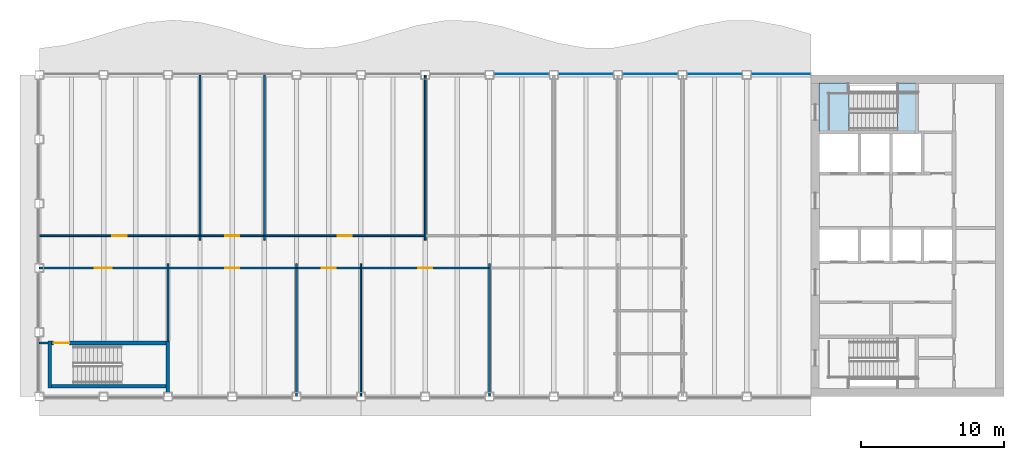
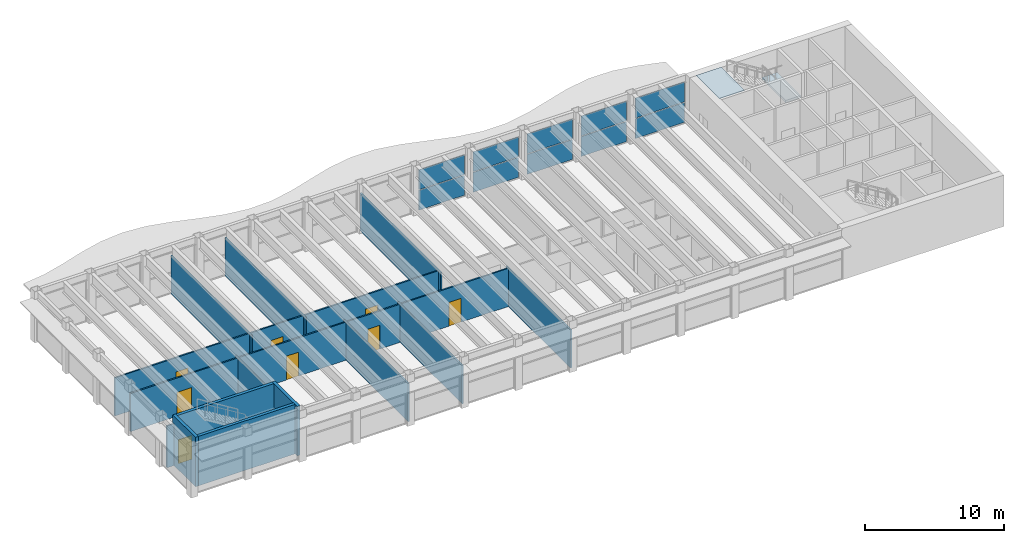
# One storey, part 8 of 14: 19 walls, 10 plates, 8 doors, 2 slabs, 8 openings, 6 elements without a shape of their own.
"""IFC4 building model written with IfcOpenShell, lengths in metres."""

from ifc_helpers import new_model, si_unit, direction, frame, frame_2d, origin, origin_2d, place, context, subcontext, project, spatial, polyline, rectangle, outline, extrude, material, layer, layer_set, type_object, element, fill, aggregate, save


model = new_model("IFC4")

# Units and contexts
model_context = context("Model", 3, precision=1e-05, world=origin(), true_north=direction((0.0, 1.0)))
body_context = subcontext(model_context, "Body", "Model", "MODEL_VIEW")
ifc_project = project(units=[si_unit("LENGTHUNIT", "METRE"), si_unit("AREAUNIT", "SQUARE_METRE"), si_unit("VOLUMEUNIT", "CUBIC_METRE"), si_unit("PLANEANGLEUNIT", "RADIAN"), si_unit("MASSUNIT", "GRAM", prefix="KILO")], contexts=[model_context])

# Site, building, storey
site_placement = place(None, origin())
site = spatial("IfcSite", under=ifc_project, at=site_placement, CompositionType="ELEMENT")
building_placement = place(site_placement, origin())
building = spatial("IfcBuilding", under=site, at=building_placement, Name="Sennacour Bend Tower", CompositionType="ELEMENT")
storey_placement = place(building_placement, frame((0.0, 0.0, 305.0)))
storey = spatial("IfcBuildingStorey", under=building, at=storey_placement, Name="L70", CompositionType="ELEMENT", Elevation=305.0)

# Curtain wall, plates
ifc_material_1 = material(Name="Bronze anodised aluminium curtain wall with clear glass", Category="aluminium")
curtain_wall_type = type_object("IfcCurtainWallType", Name="CURTAIN WALL EXEC", PredefinedType="NOTDEFINED", material=ifc_material_1)
curtain_wall_1_placement = place(storey_placement, origin())
curtain_wall_1 = element("IfcCurtainWall", 1, at=curtain_wall_1_placement, inside=storey, type_object=curtain_wall_type, Name="Executive floor glass wall L70", PredefinedType="NOTDEFINED")
ifc_material_2 = material(Name="Clear low-emissivity glass", Category="glass")
ifc_layer_1 = layer(ifc_material_2, 0.031982421875, Name="Clear low-emissivity glass", Category="glass")
ifc_layer_set_1 = layer_set([ifc_layer_1], Name="Clear low-emissivity glass")
plate_type = type_object("IfcPlateType", Name="PNL-GLASS-IGU32", PredefinedType="CURTAIN_PANEL", material=ifc_layer_set_1)
plate_1_placement = place(storey_placement, frame((51.89990234375, 22.574951171875, 0.06005859375), z_axis=(0.0, 0.0, 1.0), x_axis=(-1.0, 0.0, 0.0)))
plate_1 = element("IfcPlate", 2, at=plate_1_placement, type_object=plate_type, Name="GW3 curtain wall panel 1.1", PredefinedType="CURTAIN_PANEL", context=body_context, shape_type="SweptSolid", body=[
    extrude(rectangle(XDim=4.080078125, YDim=0.031982421875, at=origin_2d()), origin(), (0.0, 0.0, 1.0), 1.74609375),
])
plate_2_placement = place(storey_placement, frame((51.89990234375, 22.574951171875, 1.865966796875), z_axis=(0.0, 0.0, 1.0), x_axis=(-1.0, 0.0, 0.0)))
plate_2 = element("IfcPlate", 3, at=plate_2_placement, type_object=plate_type, Name="GW3 curtain wall panel 1.2", PredefinedType="CURTAIN_PANEL", context=body_context, shape_type="SweptSolid", body=[
    extrude(rectangle(XDim=4.080078125, YDim=0.031982421875, at=origin_2d()), origin(), (0.0, 0.0, 1.0), 1.74609375),
])
aggregate(curtain_wall_1, [plate_1, plate_2])

curtain_wall_2_placement = place(storey_placement, origin())
curtain_wall_2 = element("IfcCurtainWall", 4, at=curtain_wall_2_placement, inside=storey, type_object=curtain_wall_type, Name="Executive floor glass wall L70", PredefinedType="NOTDEFINED")
plate_3_placement = place(storey_placement, frame((47.25, 22.574951171875, 0.06005859375), z_axis=(0.0, 0.0, 1.0), x_axis=(-1.0, 0.0, 0.0)))
plate_3 = element("IfcPlate", 5, at=plate_3_placement, type_object=plate_type, Name="GW3 curtain wall panel 1.1", PredefinedType="CURTAIN_PANEL", context=body_context, shape_type="SweptSolid", body=[
    extrude(rectangle(XDim=3.780029296875, YDim=0.031982421875, at=origin_2d()), origin(), (0.0, 0.0, 1.0), 1.74609375),
])
plate_4_placement = place(storey_placement, frame((47.25, 22.574951171875, 1.865966796875), z_axis=(0.0, 0.0, 1.0), x_axis=(-1.0, 0.0, 0.0)))
plate_4 = element("IfcPlate", 6, at=plate_4_placement, type_object=plate_type, Name="GW3 curtain wall panel 1.2", PredefinedType="CURTAIN_PANEL", context=body_context, shape_type="SweptSolid", body=[
    extrude(rectangle(XDim=3.780029296875, YDim=0.031982421875, at=origin_2d()), origin(), (0.0, 0.0, 1.0), 1.74609375),
])
aggregate(curtain_wall_2, [plate_3, plate_4])

curtain_wall_3_placement = place(storey_placement, origin())
curtain_wall_3 = element("IfcCurtainWall", 7, at=curtain_wall_3_placement, inside=storey, type_object=curtain_wall_type, Name="Executive floor glass wall L70", PredefinedType="NOTDEFINED")
plate_5_placement = place(storey_placement, frame((42.75, 22.574951171875, 0.06005859375), z_axis=(0.0, 0.0, 1.0), x_axis=(-1.0, 0.0, 0.0)))
plate_5 = element("IfcPlate", 8, at=plate_5_placement, type_object=plate_type, Name="GW3 curtain wall panel 1.1", PredefinedType="CURTAIN_PANEL", context=body_context, shape_type="SweptSolid", body=[
    extrude(rectangle(XDim=3.780029296875, YDim=0.031982421875, at=origin_2d()), origin(), (0.0, 0.0, 1.0), 1.74609375),
])
plate_6_placement = place(storey_placement, frame((42.75, 22.574951171875, 1.865966796875), z_axis=(0.0, 0.0, 1.0), x_axis=(-1.0, 0.0, 0.0)))
plate_6 = element("IfcPlate", 9, at=plate_6_placement, type_object=plate_type, Name="GW3 curtain wall panel 1.2", PredefinedType="CURTAIN_PANEL", context=body_context, shape_type="SweptSolid", body=[
    extrude(rectangle(XDim=3.780029296875, YDim=0.031982421875, at=origin_2d()), origin(), (0.0, 0.0, 1.0), 1.74609375),
])
aggregate(curtain_wall_3, [plate_5, plate_6])

curtain_wall_4_placement = place(storey_placement, origin())
curtain_wall_4 = element("IfcCurtainWall", 10, at=curtain_wall_4_placement, inside=storey, type_object=curtain_wall_type, Name="Executive floor glass wall L70", PredefinedType="NOTDEFINED")
plate_7_placement = place(storey_placement, frame((38.25, 22.574951171875, 0.06005859375), z_axis=(0.0, 0.0, 1.0), x_axis=(-1.0, 0.0, 0.0)))
plate_7 = element("IfcPlate", 11, at=plate_7_placement, type_object=plate_type, Name="GW3 curtain wall panel 1.1", PredefinedType="CURTAIN_PANEL", context=body_context, shape_type="SweptSolid", body=[
    extrude(rectangle(XDim=3.780029296875, YDim=0.031982421875, at=origin_2d()), origin(), (0.0, 0.0, 1.0), 1.74609375),
])
plate_8_placement = place(storey_placement, frame((38.25, 22.574951171875, 1.865966796875), z_axis=(0.0, 0.0, 1.0), x_axis=(-1.0, 0.0, 0.0)))
plate_8 = element("IfcPlate", 12, at=plate_8_placement, type_object=plate_type, Name="GW3 curtain wall panel 1.2", PredefinedType="CURTAIN_PANEL", context=body_context, shape_type="SweptSolid", body=[
    extrude(rectangle(XDim=3.780029296875, YDim=0.031982421875, at=origin_2d()), origin(), (0.0, 0.0, 1.0), 1.74609375),
])
aggregate(curtain_wall_4, [plate_7, plate_8])

curtain_wall_5_placement = place(storey_placement, origin())
curtain_wall_5 = element("IfcCurtainWall", 13, at=curtain_wall_5_placement, inside=storey, type_object=curtain_wall_type, Name="Executive floor glass wall L70", PredefinedType="NOTDEFINED")
plate_9_placement = place(storey_placement, frame((33.75, 22.574951171875, 0.06005859375), z_axis=(0.0, 0.0, 1.0), x_axis=(-1.0, 0.0, 0.0)))
plate_9 = element("IfcPlate", 14, at=plate_9_placement, type_object=plate_type, Name="GW3 curtain wall panel 1.1", PredefinedType="CURTAIN_PANEL", context=body_context, shape_type="SweptSolid", body=[
    extrude(rectangle(XDim=3.780029296875, YDim=0.031982421875, at=origin_2d()), origin(), (0.0, 0.0, 1.0), 1.74609375),
])
plate_10_placement = place(storey_placement, frame((33.75, 22.574951171875, 1.865966796875), z_axis=(0.0, 0.0, 1.0), x_axis=(-1.0, 0.0, 0.0)))
plate_10 = element("IfcPlate", 15, at=plate_10_placement, type_object=plate_type, Name="GW3 curtain wall panel 1.2", PredefinedType="CURTAIN_PANEL", context=body_context, shape_type="SweptSolid", body=[
    extrude(rectangle(XDim=3.780029296875, YDim=0.031982421875, at=origin_2d()), origin(), (0.0, 0.0, 1.0), 1.74609375),
])
aggregate(curtain_wall_5, [plate_9, plate_10])

# Slab
ifc_material_3 = material(Name="Concrete C40/50", Category="concrete")
ifc_layer_2 = layer(ifc_material_3, 0.034912109375, Name="Concrete C40/50", Category="concrete")
ifc_layer_set_2 = layer_set([ifc_layer_2], Name="Concrete C40/50")
slab_type_1 = type_object("IfcSlabType", Name="Stair arrival nib 35", PredefinedType="FLOOR", material=ifc_layer_set_2)
slab_1_placement = place(storey_placement, frame((0.0, 0.0, 4.315185546875)))
element("IfcSlab", 16, at=slab_1_placement, inside=storey, type_object=slab_type_1, Name="L70 SA2 stair arrival nib", PredefinedType="FLOOR", context=body_context, shape_type="SweptSolid", body=[
    extrude(outline(polyline([(56.64208984375, 21.949951171875), (54.550048828125, 21.949951171875), (54.550048828125, 18.574951171875), (56.64208984375, 18.574951171875), (56.64208984375, 21.949951171875)])), origin(), (0.0, 0.0, 1.0), 0.034912109375),
])

# Stair, slab
stair_type = type_object("IfcStairType", Name="ST-DOGLEG", PredefinedType="HALF_TURN_STAIR", material=ifc_material_3)
stair_placement = place(storey_placement, origin())
stair = element("IfcStair", 17, at=stair_placement, inside=storey, type_object=stair_type, Name="L70 Exit stair A2", PredefinedType="HALF_TURN_STAIR")
ifc_layer_3 = layer(ifc_material_3, 0.199951171875, Name="Concrete C40/50", Category="concrete")
ifc_layer_set_3 = layer_set([ifc_layer_3], Name="Concrete C40/50")
slab_type_2 = type_object("IfcSlabType", Name="Stair landing 200", PredefinedType="LANDING", material=ifc_layer_set_3)
slab_2_placement = place(storey_placement, frame((0.0, 0.0, 2.050048828125)))
slab_2 = element("IfcSlab", 18, at=slab_2_placement, type_object=slab_type_2, Name="SA2 landing 1", PredefinedType="LANDING", context=body_context, shape_type="SweptSolid", body=[
    extrude(outline(polyline([(60.06005859375, 18.574951171875), (61.324951171875, 18.574951171875), (61.324951171875, 21.949951171875), (60.06005859375, 21.949951171875), (60.06005859375, 18.574951171875)])), origin(), (0.0, 0.0, 1.0), 0.199951171875),
])
aggregate(stair, [slab_2])

# Walls
ifc_material_4 = material(Name="Plasterboard partition on steel studs", Category="steel")
ifc_layer_4 = layer(ifc_material_4, 0.1201171875, Name="Plasterboard partition on steel studs", Category="steel")
ifc_layer_set_4 = layer_set([ifc_layer_4], Name="Plasterboard partition on steel studs")
wall_type_1 = type_object("IfcWallType", Name="Partition 120", PredefinedType="PARTITIONING", material=ifc_layer_set_4)
wall_1_placement = place(storey_placement, frame((9.0, 3.875, 0.0), z_axis=(0.0, 0.0, 1.0), x_axis=(0.0, 1.0, 0.0)))
element("IfcWall", 19, at=wall_1_placement, inside=storey, type_object=wall_type_1, Name="P-L70-W005a", PredefinedType="PARTITIONING", context=body_context, shape_type="SweptSolid", body=[
    extrude(rectangle(XDim=5.425048828125, YDim=0.1201171875, at=frame_2d((2.71240234375, 0.0))), origin(), (0.0, 0.0, 1.0), 3.35888671875),
])
for number, where, z_axis, x_axis, name in (
    (20, (11.25, 10.949951171875, 0.0), (0.0, 0.0, 1.0), (0.0, 1.0, 0.0), "P-L70-W006a"),
    (21, (15.75, 10.949951171875, 0.0), (0.0, 0.0, 1.0), (0.0, 1.0, 0.0), "P-L70-W007a"),
):
    element("IfcWall", number, at=place(storey_placement, frame(where, z_axis=z_axis, x_axis=x_axis)), inside=storey, type_object=wall_type_1, Name=name, PredefinedType="PARTITIONING", context=body_context, shape_type="SweptSolid", body=[
        extrude(rectangle(XDim=11.5400390625, YDim=0.1201171875, at=frame_2d((5.77001953125, 0.0))), origin(), (0.0, 0.0, 1.0), 3.35888671875),
    ])
for number, where, z_axis, x_axis, name in (
    (22, (18.0, 0.010009765625, 0.0), (0.0, 0.0, 1.0), (0.0, 1.0, 0.0), "P-L70-W008a"),
    (23, (22.5, 0.010009765625, 0.0), (0.0, 0.0, 1.0), (0.0, 1.0, 0.0), "P-L70-W009a"),
):
    element("IfcWall", number, at=place(storey_placement, frame(where, z_axis=z_axis, x_axis=x_axis)), inside=storey, type_object=wall_type_1, Name=name, PredefinedType="PARTITIONING", context=body_context, shape_type="SweptSolid", body=[
        extrude(rectangle(XDim=9.2900390625, YDim=0.1201171875, at=frame_2d((4.64501953125, 0.0))), origin(), (0.0, 0.0, 1.0), 3.35888671875),
    ])
wall_2_placement = place(storey_placement, frame((27.0, 10.949951171875, 0.0), z_axis=(0.0, 0.0, 1.0), x_axis=(0.0, 1.0, 0.0)))
element("IfcWall", 24, at=wall_2_placement, inside=storey, type_object=wall_type_1, Name="P-L70-W010a", PredefinedType="PARTITIONING", context=body_context, shape_type="SweptSolid", body=[
    extrude(rectangle(XDim=11.5400390625, YDim=0.1201171875, at=frame_2d((5.77001953125, 0.0))), origin(), (0.0, 0.0, 1.0), 3.35888671875),
])
wall_3_placement = place(storey_placement, frame((31.5, 0.010009765625, 0.0), z_axis=(0.0, 0.0, 1.0), x_axis=(0.0, 1.0, 0.0)))
element("IfcWall", 25, at=wall_3_placement, inside=storey, type_object=wall_type_1, Name="P-L70-W011a", PredefinedType="PARTITIONING", context=body_context, shape_type="SweptSolid", body=[
    extrude(rectangle(XDim=9.2900390625, YDim=0.1201171875, at=frame_2d((4.64501953125, 0.0))), origin(), (0.0, 0.0, 1.0), 3.35888671875),
])
wall_4_placement = place(storey_placement, frame((0.010009765625, 3.75, 0.0), z_axis=(0.0, 0.0, 1.0), x_axis=(1.0, 0.0, 0.0)))
element("IfcWall", 26, at=wall_4_placement, inside=storey, type_object=wall_type_1, Name="P-L70-W033a", PredefinedType="PARTITIONING", context=body_context, shape_type="SweptSolid", body=[
    extrude(rectangle(XDim=0.590087890625, YDim=0.1201171875, at=frame_2d((0.294921875, 0.0))), origin(), (0.0, 0.0, 1.0), 3.672119140625),
])

# Wall, opening, door
wall_5_placement = place(storey_placement, frame((9.06005859375, 9.0, 0.0), z_axis=(0.0, 0.0, 1.0), x_axis=(1.0, 0.0, 0.0)))
wall_5 = element("IfcWall", 27, at=wall_5_placement, inside=storey, type_object=wall_type_1, Name="P-L70-W039ab", PredefinedType="PARTITIONING", context=body_context, shape_type="SweptSolid", body=[
    extrude(rectangle(XDim=8.8798828125, YDim=0.1201171875, at=frame_2d((4.43994140625, 0.0))), origin(), (0.0, 0.0, 1.0), 3.35888671875),
])
opening_1_placement = place(wall_5_placement, frame((3.93994140625, 0.0, 0.0)))
opening_1 = element("IfcOpeningElement", 28, at=opening_1_placement, cuts=wall_5, Name="Opening OD2", PredefinedType="OPENING", context=body_context, shape_type="SweptSolid", body=[
    extrude(rectangle(XDim=1.0, YDim=2.10009765625, at=frame_2d((0.5, 1.050048828125))), frame((0.0, 0.070068359375, 0.0), z_axis=(0.0, -1.0, 0.0), x_axis=(1.0, 0.0, 0.0)), (0.0, 0.0, 1.0), 0.14013671875),
])
ifc_material_5 = material(Name="Timber", Category="wood")
door_type_1 = type_object("IfcDoorType", Name="DR-OFFICE-1000", OperationType="NOTDEFINED", PredefinedType="DOOR", material=ifc_material_5)
door_1_placement = place(opening_1_placement, origin())
door_1 = element("IfcDoor", 29, at=door_1_placement, inside=storey, type_object=door_type_1, Name="Door", OperationType="SINGLE_SWING_LEFT", OverallHeight=2.10009765625, OverallWidth=1.0, PredefinedType="DOOR", context=body_context, shape_type="SweptSolid", body=[
    extrude(rectangle(XDim=1.0, YDim=2.10009765625, at=frame_2d((0.5, 1.050048828125))), frame((0.0, 0.02490234375, 0.0), z_axis=(0.0, -1.0, 0.0), x_axis=(1.0, 0.0, 0.0)), (0.0, 0.0, 1.0), 0.050048828125),
])
fill(opening_1, door_1)

wall_6_placement = place(storey_placement, frame((18.06005859375, 9.0, 0.0), z_axis=(0.0, 0.0, 1.0), x_axis=(1.0, 0.0, 0.0)))
wall_6 = element("IfcWall", 30, at=wall_6_placement, inside=storey, type_object=wall_type_1, Name="P-L70-W039ac", PredefinedType="PARTITIONING", context=body_context, shape_type="SweptSolid", body=[
    extrude(rectangle(XDim=4.3798828125, YDim=0.1201171875, at=frame_2d((2.18994140625, 0.0))), origin(), (0.0, 0.0, 1.0), 3.35888671875),
])
opening_2_placement = place(wall_6_placement, frame((1.68994140625, 0.0, 0.0)))
opening_2 = element("IfcOpeningElement", 31, at=opening_2_placement, cuts=wall_6, Name="Opening OD2", PredefinedType="OPENING", context=body_context, shape_type="SweptSolid", body=[
    extrude(rectangle(XDim=1.0, YDim=2.10009765625, at=frame_2d((0.5, 1.050048828125))), frame((0.0, 0.070068359375, 0.0), z_axis=(0.0, -1.0, 0.0), x_axis=(1.0, 0.0, 0.0)), (0.0, 0.0, 1.0), 0.14013671875),
])
door_2_placement = place(opening_2_placement, origin())
door_2 = element("IfcDoor", 32, at=door_2_placement, inside=storey, type_object=door_type_1, Name="Door", OperationType="SINGLE_SWING_LEFT", OverallHeight=2.10009765625, OverallWidth=1.0, PredefinedType="DOOR", context=body_context, shape_type="SweptSolid", body=[
    extrude(rectangle(XDim=1.0, YDim=2.10009765625, at=frame_2d((0.5, 1.050048828125))), frame((0.0, 0.02490234375, 0.0), z_axis=(0.0, -1.0, 0.0), x_axis=(1.0, 0.0, 0.0)), (0.0, 0.0, 1.0), 0.050048828125),
])
fill(opening_2, door_2)

wall_7_placement = place(storey_placement, frame((22.56005859375, 9.0, 0.0), z_axis=(0.0, 0.0, 1.0), x_axis=(1.0, 0.0, 0.0)))
wall_7 = element("IfcWall", 33, at=wall_7_placement, inside=storey, type_object=wall_type_1, Name="P-L70-W039ad", PredefinedType="PARTITIONING", context=body_context, shape_type="SweptSolid", body=[
    extrude(rectangle(XDim=8.8798828125, YDim=0.1201171875, at=frame_2d((4.43994140625, 0.0))), origin(), (0.0, 0.0, 1.0), 3.35888671875),
])
opening_3_placement = place(wall_7_placement, frame((3.93994140625, 0.0, 0.0)))
opening_3 = element("IfcOpeningElement", 34, at=opening_3_placement, cuts=wall_7, Name="Opening OD2", PredefinedType="OPENING", context=body_context, shape_type="SweptSolid", body=[
    extrude(rectangle(XDim=1.0, YDim=2.10009765625, at=frame_2d((0.5, 1.050048828125))), frame((0.0, 0.070068359375, 0.0), z_axis=(0.0, -1.0, 0.0), x_axis=(1.0, 0.0, 0.0)), (0.0, 0.0, 1.0), 0.14013671875),
])
door_3_placement = place(opening_3_placement, origin())
door_3 = element("IfcDoor", 35, at=door_3_placement, inside=storey, type_object=door_type_1, Name="Door", OperationType="SINGLE_SWING_LEFT", OverallHeight=2.10009765625, OverallWidth=1.0, PredefinedType="DOOR", context=body_context, shape_type="SweptSolid", body=[
    extrude(rectangle(XDim=1.0, YDim=2.10009765625, at=frame_2d((0.5, 1.050048828125))), frame((0.0, 0.02490234375, 0.0), z_axis=(0.0, -1.0, 0.0), x_axis=(1.0, 0.0, 0.0)), (0.0, 0.0, 1.0), 0.050048828125),
])
fill(opening_3, door_3)

wall_8_placement = place(storey_placement, frame((0.010009765625, 11.25, 0.0), z_axis=(0.0, 0.0, 1.0), x_axis=(1.0, 0.0, 0.0)))
wall_8 = element("IfcWall", 36, at=wall_8_placement, inside=storey, type_object=wall_type_1, Name="P-L70-W042aa", PredefinedType="PARTITIONING", context=body_context, shape_type="SweptSolid", body=[
    extrude(rectangle(XDim=11.179931640625, YDim=0.1201171875, at=frame_2d((5.58984375, 0.0))), origin(), (0.0, 0.0, 1.0), 3.35888671875),
])
opening_4_placement = place(wall_8_placement, frame((5.10009765625, 0.0, 0.0)))
opening_4 = element("IfcOpeningElement", 37, at=opening_4_placement, cuts=wall_8, Name="Opening OD2", PredefinedType="OPENING", context=body_context, shape_type="SweptSolid", body=[
    extrude(rectangle(XDim=1.0, YDim=2.10009765625, at=frame_2d((0.5, 1.050048828125))), frame((0.0, 0.070068359375, 0.0), z_axis=(0.0, -1.0, 0.0), x_axis=(1.0, 0.0, 0.0)), (0.0, 0.0, 1.0), 0.14013671875),
])
door_4_placement = place(opening_4_placement, origin())
door_4 = element("IfcDoor", 38, at=door_4_placement, inside=storey, type_object=door_type_1, Name="Door", OperationType="SINGLE_SWING_RIGHT", OverallHeight=2.10009765625, OverallWidth=1.0, PredefinedType="DOOR", context=body_context, shape_type="SweptSolid", body=[
    extrude(rectangle(XDim=1.0, YDim=2.10009765625, at=frame_2d((0.5, 1.050048828125))), frame((0.0, 0.02490234375, 0.0), z_axis=(0.0, -1.0, 0.0), x_axis=(1.0, 0.0, 0.0)), (0.0, 0.0, 1.0), 0.050048828125),
])
fill(opening_4, door_4)

wall_9_placement = place(storey_placement, frame((11.31005859375, 11.25, 0.0), z_axis=(0.0, 0.0, 1.0), x_axis=(1.0, 0.0, 0.0)))
wall_9 = element("IfcWall", 39, at=wall_9_placement, inside=storey, type_object=wall_type_1, Name="P-L70-W042ab", PredefinedType="PARTITIONING", context=body_context, shape_type="SweptSolid", body=[
    extrude(rectangle(XDim=4.3798828125, YDim=0.1201171875, at=frame_2d((2.18994140625, 0.0))), origin(), (0.0, 0.0, 1.0), 3.35888671875),
])
opening_5_placement = place(wall_9_placement, frame((1.68994140625, 0.0, 0.0)))
opening_5 = element("IfcOpeningElement", 40, at=opening_5_placement, cuts=wall_9, Name="Opening OD2", PredefinedType="OPENING", context=body_context, shape_type="SweptSolid", body=[
    extrude(rectangle(XDim=1.0, YDim=2.10009765625, at=frame_2d((0.5, 1.050048828125))), frame((0.0, 0.070068359375, 0.0), z_axis=(0.0, -1.0, 0.0), x_axis=(1.0, 0.0, 0.0)), (0.0, 0.0, 1.0), 0.14013671875),
])
door_5_placement = place(opening_5_placement, origin())
door_5 = element("IfcDoor", 41, at=door_5_placement, inside=storey, type_object=door_type_1, Name="Door", OperationType="SINGLE_SWING_LEFT", OverallHeight=2.10009765625, OverallWidth=1.0, PredefinedType="DOOR", context=body_context, shape_type="SweptSolid", body=[
    extrude(rectangle(XDim=1.0, YDim=2.10009765625, at=frame_2d((0.5, 1.050048828125))), frame((0.0, 0.02490234375, 0.0), z_axis=(0.0, -1.0, 0.0), x_axis=(1.0, 0.0, 0.0)), (0.0, 0.0, 1.0), 0.050048828125),
])
fill(opening_5, door_5)

wall_10_placement = place(storey_placement, frame((15.81005859375, 11.25, 0.0), z_axis=(0.0, 0.0, 1.0), x_axis=(1.0, 0.0, 0.0)))
wall_10 = element("IfcWall", 42, at=wall_10_placement, inside=storey, type_object=wall_type_1, Name="P-L70-W042ac", PredefinedType="PARTITIONING", context=body_context, shape_type="SweptSolid", body=[
    extrude(rectangle(XDim=11.1298828125, YDim=0.1201171875, at=frame_2d((5.56494140625, 0.0))), origin(), (0.0, 0.0, 1.0), 3.35888671875),
])
opening_6_placement = place(wall_10_placement, frame((5.06494140625, 0.0, 0.0)))
opening_6 = element("IfcOpeningElement", 43, at=opening_6_placement, cuts=wall_10, Name="Opening OD2", PredefinedType="OPENING", context=body_context, shape_type="SweptSolid", body=[
    extrude(rectangle(XDim=1.0, YDim=2.10009765625, at=frame_2d((0.5, 1.050048828125))), frame((0.0, 0.070068359375, 0.0), z_axis=(0.0, -1.0, 0.0), x_axis=(1.0, 0.0, 0.0)), (0.0, 0.0, 1.0), 0.14013671875),
])
door_6_placement = place(opening_6_placement, origin())
door_6 = element("IfcDoor", 44, at=door_6_placement, inside=storey, type_object=door_type_1, Name="Door", OperationType="SINGLE_SWING_LEFT", OverallHeight=2.10009765625, OverallWidth=1.0, PredefinedType="DOOR", context=body_context, shape_type="SweptSolid", body=[
    extrude(rectangle(XDim=1.0, YDim=2.10009765625, at=frame_2d((0.5, 1.050048828125))), frame((0.0, 0.02490234375, 0.0), z_axis=(0.0, -1.0, 0.0), x_axis=(1.0, 0.0, 0.0)), (0.0, 0.0, 1.0), 0.050048828125),
])
fill(opening_6, door_6)

ifc_layer_5 = layer(ifc_material_4, 0.1201171875, Name="Plasterboard partition on steel studs", Category="steel")
ifc_layer_set_5 = layer_set([ifc_layer_5], Name="Plasterboard partition on steel studs")
wall_type_2 = type_object("IfcWallType", Name="Partition 120 EI 30", PredefinedType="PARTITIONING", material=ifc_layer_set_5)
wall_11_placement = place(storey_placement, frame((0.010009765625, 9.0, 0.0), z_axis=(0.0, 0.0, 1.0), x_axis=(1.0, 0.0, 0.0)))
wall_11 = element("IfcWall", 45, at=wall_11_placement, inside=storey, type_object=wall_type_2, Name="P-L70-W039aa", PredefinedType="PARTITIONING", context=body_context, shape_type="SweptSolid", body=[
    extrude(rectangle(XDim=8.929931640625, YDim=0.1201171875, at=frame_2d((4.46484375, 0.0))), origin(), (0.0, 0.0, 1.0), 3.35888671875),
])
opening_7_placement = place(wall_11_placement, frame((3.875, 0.0, 0.0)))
opening_7 = element("IfcOpeningElement", 46, at=opening_7_placement, cuts=wall_11, Name="Opening KD2", PredefinedType="OPENING", context=body_context, shape_type="SweptSolid", body=[
    extrude(rectangle(XDim=1.199951171875, YDim=2.10009765625, at=frame_2d((0.60009765625, 1.050048828125))), frame((0.0, 0.070068359375, 0.0), z_axis=(0.0, -1.0, 0.0), x_axis=(1.0, 0.0, 0.0)), (0.0, 0.0, 1.0), 0.14013671875),
])
ifc_material_6 = material(Name="Painted steel", Category="steel")
door_type_2 = type_object("IfcDoorType", Name="DR-CORRIDOR-1200", OperationType="NOTDEFINED", PredefinedType="DOOR", material=ifc_material_6)
door_7_placement = place(opening_7_placement, origin())
door_7 = element("IfcDoor", 47, at=door_7_placement, inside=storey, type_object=door_type_2, Name="Door", OperationType="SINGLE_SWING_RIGHT", OverallHeight=2.10009765625, OverallWidth=1.199951171875, PredefinedType="DOOR", context=body_context, shape_type="SweptSolid", body=[
    extrude(rectangle(XDim=1.199951171875, YDim=2.10009765625, at=frame_2d((0.60009765625, 1.050048828125))), frame((0.0, 0.02490234375, 0.0), z_axis=(0.0, -1.0, 0.0), x_axis=(1.0, 0.0, 0.0)), (0.0, 0.0, 1.0), 0.050048828125),
])
fill(opening_7, door_7)

# Walls
ifc_material_7 = material(Name="Concrete C60/75", Category="concrete")
ifc_layer_6 = layer(ifc_material_7, 0.25, Name="Concrete C60/75", Category="concrete")
ifc_layer_set_6 = layer_set([ifc_layer_6], Name="Concrete C60/75")
wall_type_3 = type_object("IfcWallType", Name="Stair wall 250", PredefinedType="SHEAR", material=ifc_layer_set_6)
wall_12_placement = place(storey_placement, frame((0.72509765625, 0.60009765625, 0.0), z_axis=(0.0, 0.0, 1.0), x_axis=(0.0, 1.0, 0.0)))
element("IfcWall", 48, at=wall_12_placement, inside=storey, type_object=wall_type_3, Name="P-L70-W002", PredefinedType="SHEAR", context=body_context, shape_type="SweptSolid", body=[
    extrude(rectangle(XDim=3.27490234375, YDim=0.25, at=frame_2d((1.637451171875, 0.0))), origin(), (0.0, 0.0, 1.0), 4.35009765625),
])
wall_13_placement = place(storey_placement, frame((9.0, 0.300048828125, 0.0), z_axis=(0.0, 0.0, 1.0), x_axis=(0.0, 1.0, 0.0)))
element("IfcWall", 49, at=wall_13_placement, inside=storey, type_object=wall_type_3, Name="P-L70-W004", PredefinedType="SHEAR", context=body_context, shape_type="SweptSolid", body=[
    extrude(rectangle(XDim=3.574951171875, YDim=0.25, at=frame_2d((1.78759765625, 0.0))), origin(), (0.0, 0.0, 1.0), 4.35009765625),
])
wall_14_placement = place(storey_placement, frame((0.85009765625, 0.72509765625, 0.0), z_axis=(0.0, 0.0, 1.0), x_axis=(1.0, 0.0, 0.0)))
element("IfcWall", 50, at=wall_14_placement, inside=storey, type_object=wall_type_3, Name="P-L70-W030", PredefinedType="SHEAR", context=body_context, shape_type="SweptSolid", body=[
    extrude(rectangle(XDim=8.02490234375, YDim=0.25, at=frame_2d((4.012451171875, 0.0))), origin(), (0.0, 0.0, 1.0), 4.35009765625),
])

# Wall, opening, door
wall_15_placement = place(storey_placement, frame((0.85009765625, 3.75, 0.0), z_axis=(0.0, 0.0, 1.0), x_axis=(1.0, 0.0, 0.0)))
wall_15 = element("IfcWall", 51, at=wall_15_placement, inside=storey, type_object=wall_type_3, Name="P-L70-W034", PredefinedType="SHEAR", context=body_context, shape_type="SweptSolid", body=[
    extrude(rectangle(XDim=8.02490234375, YDim=0.25, at=frame_2d((4.012451171875, 0.0))), origin(), (0.0, 0.0, 1.0), 4.35009765625),
])
opening_8_placement = place(wall_15_placement, frame((0.14990234375, 0.0, 0.0)))
opening_8 = element("IfcOpeningElement", 52, at=opening_8_placement, cuts=wall_15, Name="Opening SD", PredefinedType="OPENING", context=body_context, shape_type="SweptSolid", body=[
    extrude(rectangle(XDim=1.10009765625, YDim=2.10009765625, at=frame_2d((0.550048828125, 1.050048828125))), frame((0.0, 0.135009765625, 0.0), z_axis=(0.0, -1.0, 0.0), x_axis=(1.0, 0.0, 0.0)), (0.0, 0.0, 1.0), 0.27001953125),
])
door_type_3 = type_object("IfcDoorType", Name="DR-STAIR-1100", OperationType="NOTDEFINED", PredefinedType="DOOR", material=ifc_material_6)
door_8_placement = place(opening_8_placement, origin())
door_8 = element("IfcDoor", 53, at=door_8_placement, inside=storey, type_object=door_type_3, Name="Door", OperationType="SINGLE_SWING_LEFT", OverallHeight=2.10009765625, OverallWidth=1.10009765625, PredefinedType="DOOR", context=body_context, shape_type="SweptSolid", body=[
    extrude(rectangle(XDim=1.10009765625, YDim=2.10009765625, at=frame_2d((0.550048828125, 1.050048828125))), frame((0.0, 0.02490234375, 0.0), z_axis=(0.0, -1.0, 0.0), x_axis=(1.0, 0.0, 0.0)), (0.0, 0.0, 1.0), 0.050048828125),
])
fill(opening_8, door_8)

save(model, "model.ifc")
